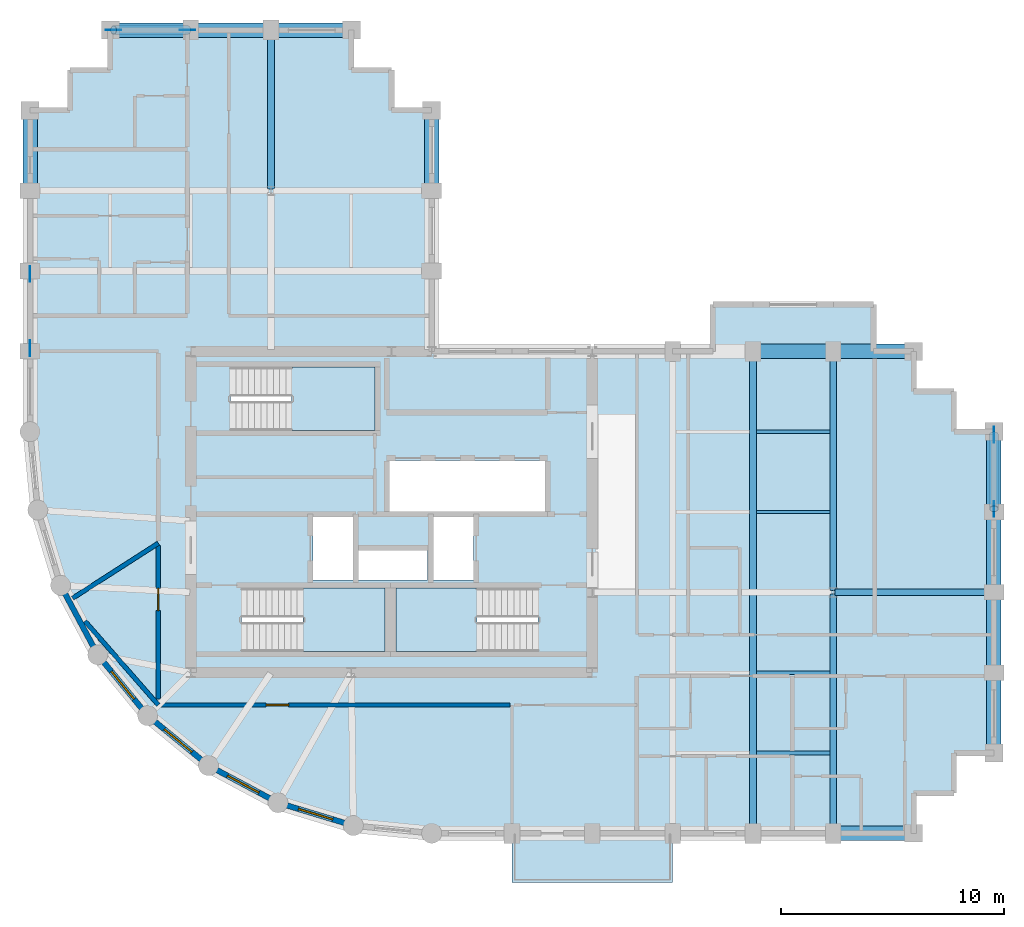
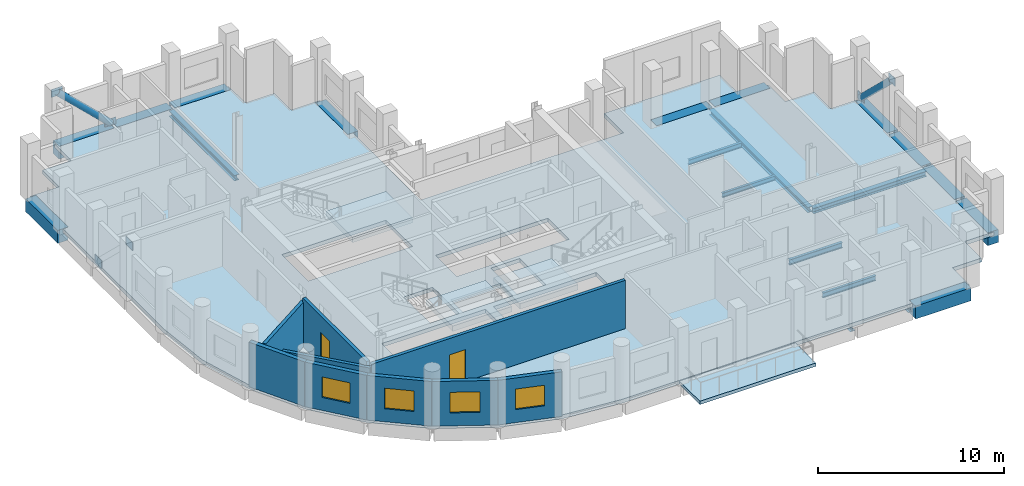
# One storey, part 2 of 8: 21 beams, 9 walls, 6 plates, 5 slabs, 4 windows, 2 doors, 2 members, 6 openings, 3 elements without a shape of their own.
"""IFC4 building model written with IfcOpenShell, lengths in metres."""

from ifc_helpers import new_model, si_unit, direction, frame, frame_2d, origin, origin_2d, place, context, subcontext, project, spatial, polyline, rectangle, hollow_circle, i_section, outline, extrude, material, layer, layer_set, material_profile, profile_set, type_object, element, fill, aggregate, save


model = new_model("IFC4")

# Units and contexts
model_context = context("Model", 3, precision=1e-05, world=origin(), true_north=direction((0.0, 1.0)))
body_context = subcontext(model_context, "Body", "Model", "MODEL_VIEW")
ifc_project = project(units=[si_unit("LENGTHUNIT", "METRE"), si_unit("AREAUNIT", "SQUARE_METRE"), si_unit("VOLUMEUNIT", "CUBIC_METRE"), si_unit("PLANEANGLEUNIT", "RADIAN"), si_unit("MASSUNIT", "GRAM", prefix="KILO")], contexts=[model_context])

# Site, building, storey
site_placement = place(None, origin())
site = spatial("IfcSite", under=ifc_project, at=site_placement, CompositionType="ELEMENT")
building_placement = place(site_placement, origin())
building = spatial("IfcBuilding", under=site, at=building_placement, Name="Solnavia Interchange Tower", CompositionType="ELEMENT")
storey_placement = place(building_placement, frame((0.0, 0.0, 178.60009765625)))
storey = spatial("IfcBuildingStorey", under=building, at=storey_placement, Name="L44", CompositionType="ELEMENT", Elevation=178.60009765625)

# Beams
ifc_material_1 = material(Name="Steel S460", Category="steel")
ifc_material_profile_1 = material_profile(ifc_material_1, i_section(OverallWidth=0.300048828125, OverallDepth=0.360107421875, WebThickness=0.012451171875, FlangeThickness=0.0224609375, FilletRadius=0.027099609375, at=origin_2d()), Name="HEB 360")
ifc_profile_set_1 = profile_set([ifc_material_profile_1], Name="Steel S460")
beam_type_1 = type_object("IfcBeamType", Name="Beam-Girder-HEB360", PredefinedType="BEAM", material=ifc_profile_set_1)
beam_1_placement = place(storey_placement, frame((43.280029296875, 14.39990234375, -0.43017578125), z_axis=(1.0, 0.0, 0.0), x_axis=(0.0, 1.0, 0.0)))
element("IfcBeam", 1, at=beam_1_placement, inside=storey, type_object=beam_type_1, Name="GRD-L44-ES02 East wing spine girder", PredefinedType="BEAM", context=body_context, shape_type="SweptSolid", body=[
    extrude(i_section(OverallWidth=0.300048828125, OverallDepth=0.360107421875, WebThickness=0.012451171875, FlangeThickness=0.0224609375, FilletRadius=0.027099609375, at=origin_2d()), origin(), (0.0, 0.0, 1.0), 7.0400390625),
])
beam_2_placement = place(storey_placement, frame((39.60009765625, 3.679931640625, -0.43017578125), z_axis=(0.0, 1.0, 0.0), x_axis=(-1.0, 0.0, 0.0)))
element("IfcBeam", 2, at=beam_2_placement, inside=storey, type_object=beam_type_1, Name="GRD-L44-EW04 East wing primary floor girder", PredefinedType="BEAM", context=body_context, shape_type="SweptSolid", body=[
    extrude(i_section(OverallWidth=0.300048828125, OverallDepth=0.360107421875, WebThickness=0.012451171875, FlangeThickness=0.0224609375, FilletRadius=0.027099609375, at=origin_2d()), origin(), (0.0, 0.0, 1.0), 21.440185546875),
])
beam_3_placement = place(storey_placement, frame((18.0, 32.47998046875, -0.43017578125), z_axis=(0.0, 1.0, 0.0), x_axis=(-1.0, 0.0, 0.0)))
element("IfcBeam", 3, at=beam_3_placement, inside=storey, type_object=beam_type_1, Name="GRD-L44-NS08 North wing spine girder", PredefinedType="BEAM", context=body_context, shape_type="SweptSolid", body=[
    extrude(i_section(OverallWidth=0.300048828125, OverallDepth=0.360107421875, WebThickness=0.012451171875, FlangeThickness=0.0224609375, FilletRadius=0.027099609375, at=origin_2d()), origin(), (0.0, 0.0, 1.0), 7.0400390625),
])
ifc_material_2 = material(Name="Steel S355", Category="steel")
ifc_material_profile_2 = material_profile(ifc_material_2, i_section(OverallWidth=0.14990234375, OverallDepth=0.300048828125, WebThickness=0.007080078125, FlangeThickness=0.0107421875, FilletRadius=0.014892578125, at=origin_2d()), Name="IPE 300")
ifc_profile_set_2 = profile_set([ifc_material_profile_2], Name="Steel S355")
beam_type_2 = type_object("IfcBeamType", Name="Beam-Joist-IPE300", PredefinedType="JOIST", material=ifc_profile_set_2)
beam_4_placement = place(storey_placement, frame((39.75, 18.0, -0.400146484375), z_axis=(1.0, 0.0, 0.0), x_axis=(0.0, 1.0, 0.0)))
element("IfcBeam", 4, at=beam_4_placement, inside=storey, type_object=beam_type_2, Name="JST-L44-E06 East wing secondary joist", PredefinedType="JOIST", context=body_context, shape_type="SweptSolid", body=[
    extrude(i_section(OverallWidth=0.14990234375, OverallDepth=0.300048828125, WebThickness=0.007080078125, FlangeThickness=0.0107421875, FilletRadius=0.014892578125, at=origin_2d()), origin(), (0.0, 0.0, 1.0), 3.300048828125),
])
ifc_material_profile_3 = material_profile(ifc_material_2, i_section(OverallWidth=0.159912109375, OverallDepth=0.330078125, WebThickness=0.007568359375, FlangeThickness=0.011474609375, FilletRadius=0.01806640625, at=origin_2d()), Name="IPE 330")
ifc_profile_set_3 = profile_set([ifc_material_profile_3], Name="Steel S355")
beam_type_3 = type_object("IfcBeamType", Name="Beam-Joist-IPE330", PredefinedType="JOIST", material=ifc_profile_set_3)
for number, where, z_axis, x_axis, name in (
    (5, (39.75, 7.199951171875, -0.4150390625), (1.0, 0.0, 0.0), (0.0, 1.0, 0.0), "JST-L44-E02 East wing secondary joist"),
    (6, (39.75, 21.60009765625, -0.4150390625), (1.0, 0.0, 0.0), (0.0, 1.0, 0.0), "JST-L44-E08 East wing secondary joist"),
):
    element("IfcBeam", number, at=place(storey_placement, frame(where, z_axis=z_axis, x_axis=x_axis)), inside=storey, type_object=beam_type_3, Name=name, PredefinedType="JOIST", context=body_context, shape_type="SweptSolid", body=[
        extrude(i_section(OverallWidth=0.159912109375, OverallDepth=0.330078125, WebThickness=0.007568359375, FlangeThickness=0.011474609375, FilletRadius=0.01806640625, at=origin_2d()), origin(), (0.0, 0.0, 1.0), 3.300048828125),
    ])
ifc_material_profile_4 = material_profile(ifc_material_2, i_section(OverallWidth=0.169921875, OverallDepth=0.360107421875, WebThickness=0.008056640625, FlangeThickness=0.0126953125, FilletRadius=0.01806640625, at=origin_2d()), Name="IPE 360")
ifc_profile_set_4 = profile_set([ifc_material_profile_4], Name="Steel S355")
beam_type_4 = type_object("IfcBeamType", Name="Beam-Joist-IPE360", PredefinedType="JOIST", material=ifc_profile_set_4)
beam_5_placement = place(storey_placement, frame((39.75, 10.800048828125, -0.43017578125), z_axis=(1.0, 0.0, 0.0), x_axis=(0.0, 1.0, 0.0)))
element("IfcBeam", 7, at=beam_5_placement, inside=storey, type_object=beam_type_4, Name="JST-L44-E04 East wing secondary joist", PredefinedType="JOIST", context=body_context, shape_type="SweptSolid", body=[
    extrude(i_section(OverallWidth=0.169921875, OverallDepth=0.360107421875, WebThickness=0.008056640625, FlangeThickness=0.0126953125, FilletRadius=0.01806640625, at=origin_2d()), origin(), (0.0, 0.0, 1.0), 3.300048828125),
])
ifc_material_profile_5 = material_profile(ifc_material_2, i_section(OverallWidth=0.300048828125, OverallDepth=0.35009765625, WebThickness=0.010009765625, FlangeThickness=0.017578125, FilletRadius=0.027099609375, at=origin_2d()), Name="HEA 360")
ifc_profile_set_5 = profile_set([ifc_material_profile_5], Name="Steel S355")
beam_type_5 = type_object("IfcBeamType", Name="Beam-Primary-HEA360", PredefinedType="BEAM", material=ifc_profile_set_5)
for number, where, z_axis, x_axis, name in (
    (8, (43.199951171875, 3.679931640625, -0.425048828125), (0.0, 1.0, 0.0), (-1.0, 0.0, 0.0), "GRD-L44-EW05 East wing primary floor girder"),
    (9, (43.199951171875, 14.47998046875, -0.425048828125), (0.0, 1.0, 0.0), (-1.0, 0.0, 0.0), "GRD-L44-EW06 East wing primary floor girder"),
):
    element("IfcBeam", number, at=place(storey_placement, frame(where, z_axis=z_axis, x_axis=x_axis)), inside=storey, type_object=beam_type_5, Name=name, PredefinedType="BEAM", context=body_context, shape_type="SweptSolid", body=[
        extrude(i_section(OverallWidth=0.300048828125, OverallDepth=0.35009765625, WebThickness=0.010009765625, FlangeThickness=0.017578125, FilletRadius=0.027099609375, at=origin_2d()), origin(), (0.0, 0.0, 1.0), 10.64013671875),
    ])
ifc_material_3 = material(Name="Concrete C50/60", Category="concrete")
ifc_material_profile_6 = material_profile(ifc_material_3, rectangle(XDim=0.64990234375, YDim=0.85009765625, at=origin_2d()), Name="RC 650x850")
ifc_profile_set_6 = profile_set([ifc_material_profile_6], Name="Concrete C50/60")
beam_type_6 = type_object("IfcBeamType", Name="Beam-Spandrel-RC650x850", PredefinedType="SPANDREL", material=ifc_profile_set_6)
for number, where, z_axis, x_axis, name in (
    (10, (43.280029296875, 3.60009765625, -0.425048828125), (1.0, 0.0, 0.0), (0.0, 1.0, 0.0), "SPB-L44-14 Framed-tube perimeter spandrel beam"),
    (11, (50.39990234375, 7.280029296875, -0.425048828125), (0.0, 1.0, 0.0), (-1.0, 0.0, 0.0), "SPB-L44-15 Framed-tube perimeter spandrel beam"),
):
    element("IfcBeam", number, at=place(storey_placement, frame(where, z_axis=z_axis, x_axis=x_axis)), inside=storey, type_object=beam_type_6, Name=name, PredefinedType="SPANDREL", context=body_context, shape_type="SweptSolid", body=[
        extrude(rectangle(XDim=0.64990234375, YDim=0.85009765625, at=origin_2d()), origin(), (0.0, 0.0, 1.0), 3.43994140625),
    ])
beam_6_placement = place(storey_placement, frame((50.39990234375, 10.8798828125, -0.425048828125), z_axis=(0.0, 1.0, 0.0), x_axis=(-1.0, 0.0, 0.0)))
element("IfcBeam", 12, at=beam_6_placement, inside=storey, type_object=beam_type_6, Name="SPB-L44-16 Framed-tube perimeter spandrel beam", PredefinedType="SPANDREL", context=body_context, shape_type="SweptSolid", body=[
    extrude(rectangle(XDim=0.64990234375, YDim=0.85009765625, at=origin_2d()), origin(), (0.0, 0.0, 1.0), 3.440185546875),
])
for number, where, z_axis, x_axis, name in (
    (13, (50.39990234375, 14.47998046875, -0.425048828125), (0.0, 1.0, 0.0), (-1.0, 0.0, 0.0), "SPB-L44-17 Framed-tube perimeter spandrel beam"),
    (14, (50.39990234375, 18.080078125, -0.425048828125), (0.0, 1.0, 0.0), (-1.0, 0.0, 0.0), "SPB-L44-18 Framed-tube perimeter spandrel beam"),
    (15, (46.719970703125, 25.199951171875, -0.425048828125), (-1.0, 0.0, 0.0), (0.0, -1.0, 0.0), "SPB-L44-19 Framed-tube perimeter spandrel beam"),
):
    element("IfcBeam", number, at=place(storey_placement, frame(where, z_axis=z_axis, x_axis=x_axis)), inside=storey, type_object=beam_type_6, Name=name, PredefinedType="SPANDREL", context=body_context, shape_type="SweptSolid", body=[
        extrude(rectangle(XDim=0.64990234375, YDim=0.85009765625, at=origin_2d()), origin(), (0.0, 0.0, 1.0), 3.43994140625),
    ])
beam_7_placement = place(storey_placement, frame((43.1201171875, 25.199951171875, -0.425048828125), z_axis=(-1.0, 0.0, 0.0), x_axis=(0.0, -1.0, 0.0)))
element("IfcBeam", 16, at=beam_7_placement, inside=storey, type_object=beam_type_6, Name="SPB-L44-20 Framed-tube perimeter spandrel beam", PredefinedType="SPANDREL", context=body_context, shape_type="SweptSolid", body=[
    extrude(rectangle(XDim=0.64990234375, YDim=0.85009765625, at=origin_2d()), origin(), (0.0, 0.0, 1.0), 3.440185546875),
])
for number, where, z_axis, x_axis, name in (
    (17, (25.199951171875, 32.47998046875, -0.425048828125), (0.0, 1.0, 0.0), (-1.0, 0.0, 0.0), "SPB-L44-26 Framed-tube perimeter spandrel beam"),
    (18, (21.52001953125, 39.60009765625, -0.425048828125), (-1.0, 0.0, 0.0), (0.0, -1.0, 0.0), "SPB-L44-27 Framed-tube perimeter spandrel beam"),
    (19, (17.919921875, 39.60009765625, -0.425048828125), (-1.0, 0.0, 0.0), (0.0, -1.0, 0.0), "SPB-L44-28 Framed-tube perimeter spandrel beam"),
):
    element("IfcBeam", number, at=place(storey_placement, frame(where, z_axis=z_axis, x_axis=x_axis)), inside=storey, type_object=beam_type_6, Name=name, PredefinedType="SPANDREL", context=body_context, shape_type="SweptSolid", body=[
        extrude(rectangle(XDim=0.64990234375, YDim=0.85009765625, at=origin_2d()), origin(), (0.0, 0.0, 1.0), 3.43994140625),
    ])
beam_8_placement = place(storey_placement, frame((14.320068359375, 39.60009765625, -0.425048828125), z_axis=(-1.0, 0.0, 0.0), x_axis=(0.0, -1.0, 0.0)))
element("IfcBeam", 20, at=beam_8_placement, inside=storey, type_object=beam_type_6, Name="SPB-L44-29 Framed-tube perimeter spandrel beam", PredefinedType="SPANDREL", context=body_context, shape_type="SweptSolid", body=[
    extrude(rectangle(XDim=0.64990234375, YDim=0.85009765625, at=origin_2d()), origin(), (0.0, 0.0, 1.0), 3.440185546875),
])
beam_9_placement = place(storey_placement, frame((7.199951171875, 35.919921875, -0.425048828125), z_axis=(0.0, -1.0, 0.0), x_axis=(1.0, 0.0, 0.0)))
element("IfcBeam", 21, at=beam_9_placement, inside=storey, type_object=beam_type_6, Name="SPB-L44-30 Framed-tube perimeter spandrel beam", PredefinedType="SPANDREL", context=body_context, shape_type="SweptSolid", body=[
    extrude(rectangle(XDim=0.64990234375, YDim=0.85009765625, at=origin_2d()), origin(), (0.0, 0.0, 1.0), 3.43994140625),
])

# Members
ifc_material_profile_7 = material_profile(ifc_material_1, hollow_circle(Radius=0.203125, WallThickness=0.02001953125, at=origin_2d()), Name="CHS 406.4x20")
ifc_profile_set_7 = profile_set([ifc_material_profile_7], Name="Steel S460")
member_type = type_object("IfcMemberType", Name="Brace-Perim-CHS406", PredefinedType="BRACE", material=ifc_profile_set_7)
for number, where, z_axis, x_axis, name in (
    (22, (50.39990234375, 21.4599609375, 0.179931640625), (0.0, -0.721096918576, 0.692834203847), (1.0, 0.0, 0.0), "BRC-L44-02 Perimeter tube diagonal brace"),
    (23, (14.260009765625, 39.60009765625, 0.179931640625), (-0.721096918576, 0.0, 0.692834203847), (0.0, -1.0, 0.0), "BRC-L44-03 Perimeter tube diagonal brace"),
):
    element("IfcMember", number, at=place(storey_placement, frame(where, z_axis=z_axis, x_axis=x_axis)), inside=storey, type_object=member_type, Name=name, PredefinedType="BRACE", context=body_context, shape_type="SweptSolid", body=[
        extrude(hollow_circle(Radius=0.203125, WallThickness=0.02001953125, at=origin_2d()), origin(), (0.0, 0.0, 1.0), 4.604248046875),
    ])

# Plates
ifc_layer_1 = layer(ifc_material_1, 0.030029296875)
ifc_layer_set_1 = layer_set([ifc_layer_1], Name="Steel S460")
plate_type = type_object("IfcPlateType", Name="Plate-Gusset-700x520x30", PredefinedType="USERDEFINED", material=ifc_layer_set_1)
for number, where, z_axis, x_axis, name in (
    (24, (7.199951171875, 28.659912109375, -0.080078125), (0.0, 0.0, 1.0), (0.0, -1.0, 0.0), "PLT-L44-GP01 Perimeter brace gusset plate"),
    (25, (7.199951171875, 25.340087890625, 3.10986328125), (0.0, 0.0, 1.0), (0.0, -1.0, 0.0), "PLT-L44-GP02 Perimeter brace gusset plate"),
    (26, (50.39990234375, 21.4599609375, -0.080078125), (0.0, 0.0, 1.0), (0.0, -1.0, 0.0), "PLT-L44-GP03 Perimeter brace gusset plate"),
    (27, (50.39990234375, 18.139892578125, 3.10986328125), (0.0, 0.0, 1.0), (0.0, -1.0, 0.0), "PLT-L44-GP04 Perimeter brace gusset plate"),
    (28, (14.260009765625, 39.60009765625, -0.080078125), (0.0, 0.0, 1.0), (-1.0, 0.0, 0.0), "PLT-L44-GP05 Perimeter brace gusset plate"),
    (29, (10.93994140625, 39.60009765625, 3.10986328125), (0.0, 0.0, 1.0), (-1.0, 0.0, 0.0), "PLT-L44-GP06 Perimeter brace gusset plate"),
):
    element("IfcPlate", number, at=place(storey_placement, frame(where, z_axis=z_axis, x_axis=x_axis)), inside=storey, type_object=plate_type, Name=name, ObjectType="GUSSET PLATE", PredefinedType="USERDEFINED", context=body_context, shape_type="SweptSolid", body=[
        extrude(rectangle(XDim=0.699951171875, YDim=0.030029296875, at=origin_2d()), origin(), (0.0, 0.0, 1.0), 0.52001953125),
    ])

# Stair, slab
ifc_material_4 = material(Name="Concrete C40/50", Category="concrete")
stair_type = type_object("IfcStairType", Name="Stair-Dogleg-RC", PredefinedType="HALF_TURN_STAIR", material=ifc_material_4)
stair_1_placement = place(storey_placement, origin())
stair_1 = element("IfcStair", 30, at=stair_1_placement, inside=storey, type_object=stair_type, Name="L44 Core exit stair 1", PredefinedType="HALF_TURN_STAIR")
ifc_layer_2 = layer(ifc_material_4, 0.35009765625)
ifc_layer_set_2 = layer_set([ifc_layer_2], Name="Concrete C40/50")
slab_type_1 = type_object("IfcSlabType", Name="Slab-StairLanding-350", PredefinedType="LANDING", material=ifc_layer_set_2)
slab_1_placement = place(storey_placement, frame((0.0, 0.0, 1.5498046875)))
slab_1 = element("IfcSlab", 31, at=slab_1_placement, type_object=slab_type_1, Name="ST-1 landing 1", PredefinedType="LANDING", context=body_context, shape_type="SweptSolid", body=[
    extrude(outline(polyline([(19.427978515625, 11.75), (23.10009765625, 11.75), (23.10009765625, 14.590087890625), (19.427978515625, 14.590087890625), (19.427978515625, 11.75)])), origin(), (0.0, 0.0, 1.0), 0.35009765625),
])
aggregate(stair_1, [slab_1])

stair_2_placement = place(storey_placement, origin())
stair_2 = element("IfcStair", 32, at=stair_2_placement, inside=storey, type_object=stair_type, Name="L44 Core exit stair 2", PredefinedType="HALF_TURN_STAIR")
slab_2_placement = place(storey_placement, frame((0.0, 0.0, 1.5498046875)))
slab_2 = element("IfcSlab", 33, at=slab_2_placement, type_object=slab_type_1, Name="ST-2 landing 1", PredefinedType="LANDING", context=body_context, shape_type="SweptSolid", body=[
    extrude(outline(polyline([(23.60009765625, 11.75), (27.221923828125, 11.75), (27.221923828125, 14.590087890625), (23.60009765625, 14.590087890625), (23.60009765625, 11.75)])), origin(), (0.0, 0.0, 1.0), 0.35009765625),
])
aggregate(stair_2, [slab_2])

stair_3_placement = place(storey_placement, origin())
stair_3 = element("IfcStair", 34, at=stair_3_placement, inside=storey, type_object=stair_type, Name="L44 Core exit stair 3", PredefinedType="HALF_TURN_STAIR")
slab_3_placement = place(storey_placement, frame((0.0, 0.0, 1.5498046875)))
slab_3 = element("IfcSlab", 35, at=slab_3_placement, type_object=slab_type_1, Name="ST-3 landing 1", PredefinedType="LANDING", context=body_context, shape_type="SweptSolid", body=[
    extrude(outline(polyline([(18.927978515625, 21.64990234375), (22.64990234375, 21.64990234375), (22.64990234375, 24.489990234375), (18.927978515625, 24.489990234375), (18.927978515625, 21.64990234375)])), origin(), (0.0, 0.0, 1.0), 0.35009765625),
])
aggregate(stair_3, [slab_3])

# Slabs
ifc_layer_3 = layer(ifc_material_4, 0.219970703125)
ifc_layer_set_3 = layer_set([ifc_layer_3], Name="Concrete C40/50")
slab_type_2 = type_object("IfcSlabType", Name="Slab-Terrace-220", PredefinedType="FLOOR", material=ifc_layer_set_3)
slab_4_placement = place(storey_placement, frame((0.0, 0.0, -0.260009765625)))
element("IfcSlab", 36, at=slab_4_placement, inside=storey, type_object=slab_type_2, Name="TER-L44-01 Outdoor spiral terrace slab", PredefinedType="FLOOR", context=body_context, shape_type="SweptSolid", body=[
    extrude(outline(polyline([(28.800048828125, 1.39990234375), (36.0, 1.39990234375), (36.0, 3.60009765625), (28.800048828125, 3.60009765625), (28.800048828125, 1.39990234375)])), origin(), (0.0, 0.0, 1.0), 0.219970703125),
])
ifc_layer_4 = layer(ifc_material_4, 0.25)
ifc_layer_set_4 = layer_set([ifc_layer_4], Name="Concrete C40/50")
slab_type_3 = type_object("IfcSlabType", Name="Slab-Tower-250", PredefinedType="FLOOR", material=ifc_layer_set_4)
slab_5_placement = place(storey_placement, frame((0.0, 0.0, -0.25)))
element("IfcSlab", 37, at=slab_5_placement, inside=storey, type_object=slab_type_3, Name="SLB-L44-01 Structural floor slab", PredefinedType="FLOOR", context=body_context, shape_type="SweptSolid", body=[
    extrude(outline(polyline([(25.199951171875, 3.60009765625), (46.800048828125, 3.60009765625), (46.800048828125, 5.39990234375), (48.60009765625, 5.39990234375), (48.60009765625, 7.199951171875), (50.39990234375, 7.199951171875), (50.39990234375, 21.60009765625), (48.60009765625, 21.60009765625), (48.60009765625, 23.39990234375), (46.800048828125, 23.39990234375), (46.800048828125, 25.199951171875), (45.0, 25.199951171875), (45.0, 27.300048828125), (37.800048828125, 27.300048828125), (37.800048828125, 25.199951171875), (25.199951171875, 25.199951171875), (25.199951171875, 36.0), (23.39990234375, 36.0), (23.39990234375, 37.800048828125), (21.60009765625, 37.800048828125), (21.60009765625, 39.60009765625), (10.800048828125, 39.60009765625), (10.800048828125, 37.800048828125), (9.0, 37.800048828125), (9.0, 36.0), (7.199951171875, 36.0), (7.199951171875, 21.60009765625), (7.5458984375, 18.087890625), (8.570068359375, 14.7119140625), (10.23388671875, 11.60009765625), (12.471923828125, 8.8720703125), (15.199951171875, 6.634033203125), (18.31201171875, 4.969970703125), (21.68798828125, 3.946044921875), (25.199951171875, 3.60009765625)]), holes=[polyline([(16.675048828125, 11.75), (23.10009765625, 11.75), (23.10009765625, 14.590087890625), (16.675048828125, 14.590087890625), (16.675048828125, 11.75)]), polyline([(23.60009765625, 11.75), (29.97509765625, 11.75), (29.97509765625, 14.590087890625), (23.60009765625, 14.590087890625), (23.60009765625, 11.75)]), polyline([(16.175048828125, 21.64990234375), (22.64990234375, 21.64990234375), (22.64990234375, 24.489990234375), (16.175048828125, 24.489990234375), (16.175048828125, 21.64990234375)]), polyline([(19.8798828125, 14.9599609375), (21.679931640625, 14.9599609375), (21.679931640625, 17.780029296875), (19.8798828125, 17.780029296875), (19.8798828125, 14.9599609375)]), polyline([(25.280029296875, 14.9599609375), (27.080078125, 14.9599609375), (27.080078125, 17.780029296875), (25.280029296875, 17.780029296875), (25.280029296875, 14.9599609375)]), polyline([(21.919921875, 14.9599609375), (25.02001953125, 14.9599609375), (25.02001953125, 16.280029296875), (21.919921875, 16.280029296875), (21.919921875, 14.9599609375)]), polyline([(23.300048828125, 18.02001953125), (30.280029296875, 18.02001953125), (30.280029296875, 20.300048828125), (23.300048828125, 20.300048828125), (23.300048828125, 18.02001953125)])]), origin(), (0.0, 0.0, 1.0), 0.25),
])

# Walls
ifc_material_5 = material(Name="Gypsum Acoustic Twin-Stud & Mineral Wool", Category="gypsum")
ifc_layer_5 = layer(ifc_material_5, 0.199951171875)
ifc_layer_set_5 = layer_set([ifc_layer_5], Name="Gypsum Acoustic Twin-Stud & Mineral Wool")
wall_type_1 = type_object("IfcWallType", Name="Wall-ApartmentParty-200", PredefinedType="PARTITIONING", material=ifc_layer_set_5)
wall_1_placement = place(storey_placement, frame((12.949951171875, 9.35009765625, 0.0), z_axis=(0.0, 0.0, 1.0), x_axis=(-0.658639514157, 0.752458630352, 0.0)))
element("IfcWall", 38, at=wall_1_placement, inside=storey, type_object=wall_type_1, Name="PTW-L44-09 Interior partition wall", PredefinedType="PARTITIONING", context=body_context, shape_type="SweptSolid", body=[
    extrude(rectangle(XDim=4.996337890625, YDim=0.199951171875, at=frame_2d((2.498046875, 0.0))), origin(), (0.0, 0.0, 1.0), 2.929931640625),
])
wall_2_placement = place(storey_placement, frame((12.949951171875, 16.60009765625, 0.0), z_axis=(0.0, 0.0, 1.0), x_axis=(-0.841685822078, -0.539967570242, 0.0)))
element("IfcWall", 39, at=wall_2_placement, inside=storey, type_object=wall_type_1, Name="PTW-L44-10 Interior partition wall", PredefinedType="PARTITIONING", context=body_context, shape_type="SweptSolid", body=[
    extrude(rectangle(XDim=4.56201171875, YDim=0.199951171875, at=frame_2d((2.281005859375, 0.0))), origin(), (0.0, 0.0, 1.0), 2.929931640625),
])

# Wall, opening, door
wall_3_placement = place(storey_placement, frame((12.949951171875, 9.623291015625, 0.0), z_axis=(0.0, 0.0, 1.0), x_axis=(0.0, 1.0, 0.0)))
wall_3 = element("IfcWall", 40, at=wall_3_placement, inside=storey, type_object=wall_type_1, Name="PTW-L44-12 Interior partition wall", PredefinedType="PARTITIONING", context=body_context, shape_type="SweptSolid", body=[
    extrude(rectangle(XDim=6.872802734375, YDim=0.199951171875, at=frame_2d((3.4365234375, 0.0))), origin(), (0.0, 0.0, 1.0), 3.169921875),
])
opening_1_placement = place(wall_3_placement, frame((3.9580078125, 0.0, 0.0)))
opening_1 = element("IfcOpeningElement", 41, at=opening_1_placement, cuts=wall_3, Name="Opening DR-07", PredefinedType="OPENING", context=body_context, shape_type="SweptSolid", body=[
    extrude(rectangle(XDim=1.0, YDim=2.10009765625, at=frame_2d((0.5, 1.050048828125))), frame((0.0, 0.10986328125, 0.0), z_axis=(0.0, -1.0, 0.0), x_axis=(1.0, 0.0, 0.0)), (0.0, 0.0, 1.0), 0.219970703125),
])
ifc_material_6 = material(Name="Timber & Acoustic Glazed Office Door", Category="wood")
door_type = type_object("IfcDoorType", Name="Door-Office-1000x2100", OperationType="SINGLE_SWING_RIGHT", PredefinedType="DOOR", material=ifc_material_6)
door_1_placement = place(opening_1_placement, origin())
door_1 = element("IfcDoor", 42, at=door_1_placement, inside=storey, type_object=door_type, Name="DR-L44-04 Interior room door", OperationType="SINGLE_SWING_RIGHT", OverallHeight=2.10009765625, OverallWidth=1.0, PredefinedType="DOOR", context=body_context, shape_type="SweptSolid", body=[
    extrude(rectangle(XDim=1.0, YDim=2.10009765625, at=frame_2d((0.5, 1.050048828125))), frame((0.0, 0.02490234375, 0.0), z_axis=(0.0, -1.0, 0.0), x_axis=(1.0, 0.0, 0.0)), (0.0, 0.0, 1.0), 0.050048828125),
])
fill(opening_1, door_1)

wall_4_placement = place(storey_placement, frame((12.949951171875, 9.35009765625, 0.0), z_axis=(0.0, 0.0, 1.0), x_axis=(1.0, 0.0, 0.0)))
wall_4 = element("IfcWall", 43, at=wall_4_placement, inside=storey, type_object=wall_type_1, Name="PTW-L44-13 Interior partition wall", PredefinedType="PARTITIONING", context=body_context, shape_type="SweptSolid", body=[
    extrude(rectangle(XDim=15.77099609375, YDim=0.199951171875, at=frame_2d((7.885498046875, 0.0))), origin(), (0.0, 0.0, 1.0), 3.169921875),
])
opening_2_placement = place(wall_4_placement, frame((4.8359375, 0.0, 0.0)))
opening_2 = element("IfcOpeningElement", 44, at=opening_2_placement, cuts=wall_4, Name="Opening DR-07", PredefinedType="OPENING", context=body_context, shape_type="SweptSolid", body=[
    extrude(rectangle(XDim=1.0, YDim=2.10009765625, at=frame_2d((0.5, 1.050048828125))), frame((0.0, 0.10986328125, 0.0), z_axis=(0.0, -1.0, 0.0), x_axis=(1.0, 0.0, 0.0)), (0.0, 0.0, 1.0), 0.219970703125),
])
door_2_placement = place(opening_2_placement, origin())
door_2 = element("IfcDoor", 45, at=door_2_placement, inside=storey, type_object=door_type, Name="DR-L44-05 Interior room door", OperationType="SINGLE_SWING_LEFT", OverallHeight=2.10009765625, OverallWidth=1.0, PredefinedType="DOOR", context=body_context, shape_type="SweptSolid", body=[
    extrude(rectangle(XDim=1.0, YDim=2.10009765625, at=frame_2d((0.5, 1.050048828125))), frame((0.0, 0.02490234375, 0.0), z_axis=(0.0, -1.0, 0.0), x_axis=(1.0, 0.0, 0.0)), (0.0, 0.0, 1.0), 0.050048828125),
])
fill(opening_2, door_2)

# Wall
ifc_layer_6 = layer(ifc_material_4, 0.25)
ifc_layer_set_6 = layer_set([ifc_layer_6], Name="Concrete C40/50")
wall_type_2 = type_object("IfcWallType", Name="Wall-ExtSpandrel-250", PredefinedType="STANDARD", material=ifc_layer_set_6)
wall_5_placement = place(storey_placement, frame((10.23388671875, 11.60009765625, 0.0), z_axis=(0.0, 0.0, 1.0), x_axis=(-0.47151087309, 0.881860247748, 0.0)))
element("IfcWall", 46, at=wall_5_placement, inside=storey, type_object=wall_type_2, Name="EXW-L44-49 Exterior precast spandrel wall", PredefinedType="STANDARD", context=body_context, shape_type="SweptSolid", body=[
    extrude(rectangle(XDim=3.52880859375, YDim=0.25, at=frame_2d((1.764404296875, 0.0))), origin(), (0.0, 0.0, 1.0), 2.929931640625),
])

# Wall, opening, window
wall_6_placement = place(storey_placement, frame((12.471923828125, 8.8720703125, 0.0), z_axis=(0.0, 0.0, 1.0), x_axis=(-0.634258295121, 0.773121216285, 0.0)))
wall_6 = element("IfcWall", 47, at=wall_6_placement, inside=storey, type_object=wall_type_2, Name="EXW-L44-50 Exterior precast spandrel wall", PredefinedType="STANDARD", context=body_context, shape_type="SweptSolid", body=[
    extrude(rectangle(XDim=3.528564453125, YDim=0.25, at=frame_2d((1.76416015625, 0.0))), origin(), (0.0, 0.0, 1.0), 2.929931640625),
])
opening_3_placement = place(wall_6_placement, frame((0.964111328125, 0.0, 0.85009765625)))
opening_3 = element("IfcOpeningElement", 48, at=opening_3_placement, cuts=wall_6, Name="Opening WIN-04", PredefinedType="OPENING", context=body_context, shape_type="SweptSolid", body=[
    extrude(rectangle(XDim=1.60009765625, YDim=1.35009765625, at=frame_2d((0.800048828125, 0.675048828125))), frame((0.0, 0.135009765625, 0.0), z_axis=(0.0, -1.0, 0.0), x_axis=(1.0, 0.0, 0.0)), (0.0, 0.0, 1.0), 0.27001953125),
])
ifc_material_7 = material(Name="Thermal-Break Aluminium & Low-E Glass", Category="aluminium")
window_type = type_object("IfcWindowType", Name="Window-Drum-1600x1350", PartitioningType="SINGLE_PANEL", PredefinedType="WINDOW", material=ifc_material_7)
window_1_placement = place(opening_3_placement, origin())
window_1 = element("IfcWindow", 49, at=window_1_placement, inside=storey, type_object=window_type, Name="WIN-L44-50 Facade ribbon window", OverallHeight=1.35009765625, OverallWidth=1.60009765625, PartitioningType="SINGLE_PANEL", PredefinedType="WINDOW", context=body_context, shape_type="SweptSolid", body=[
    extrude(rectangle(XDim=1.60009765625, YDim=1.35009765625, at=frame_2d((0.800048828125, 0.675048828125))), frame((0.0, 0.030029296875, 0.0), z_axis=(0.0, -1.0, 0.0), x_axis=(1.0, 0.0, 0.0)), (0.0, 0.0, 1.0), 0.06005859375),
])
fill(opening_3, window_1)

wall_7_placement = place(storey_placement, frame((15.199951171875, 6.634033203125, 0.0), z_axis=(0.0, 0.0, 1.0), x_axis=(-0.773121216285, 0.634258295121, 0.0)))
wall_7 = element("IfcWall", 50, at=wall_7_placement, inside=storey, type_object=wall_type_2, Name="EXW-L44-51 Exterior precast spandrel wall", PredefinedType="STANDARD", context=body_context, shape_type="SweptSolid", body=[
    extrude(rectangle(XDim=3.528564453125, YDim=0.25, at=frame_2d((1.76416015625, 0.0))), origin(), (0.0, 0.0, 1.0), 2.929931640625),
])
opening_4_placement = place(wall_7_placement, frame((0.964111328125, 0.0, 0.85009765625)))
opening_4 = element("IfcOpeningElement", 51, at=opening_4_placement, cuts=wall_7, Name="Opening WIN-04", PredefinedType="OPENING", context=body_context, shape_type="SweptSolid", body=[
    extrude(rectangle(XDim=1.60009765625, YDim=1.35009765625, at=frame_2d((0.800048828125, 0.675048828125))), frame((0.0, 0.135009765625, 0.0), z_axis=(0.0, -1.0, 0.0), x_axis=(1.0, 0.0, 0.0)), (0.0, 0.0, 1.0), 0.27001953125),
])
window_2_placement = place(opening_4_placement, origin())
window_2 = element("IfcWindow", 52, at=window_2_placement, inside=storey, type_object=window_type, Name="WIN-L44-51 Facade ribbon window", OverallHeight=1.35009765625, OverallWidth=1.60009765625, PartitioningType="SINGLE_PANEL", PredefinedType="WINDOW", context=body_context, shape_type="SweptSolid", body=[
    extrude(rectangle(XDim=1.60009765625, YDim=1.35009765625, at=frame_2d((0.800048828125, 0.675048828125))), frame((0.0, 0.030029296875, 0.0), z_axis=(0.0, -1.0, 0.0), x_axis=(1.0, 0.0, 0.0)), (0.0, 0.0, 1.0), 0.06005859375),
])
fill(opening_4, window_2)

wall_8_placement = place(storey_placement, frame((18.31201171875, 4.969970703125, 0.0), z_axis=(0.0, 0.0, 1.0), x_axis=(-0.881846862014, 0.471535907389, 0.0)))
wall_8 = element("IfcWall", 53, at=wall_8_placement, inside=storey, type_object=wall_type_2, Name="EXW-L44-52 Exterior precast spandrel wall", PredefinedType="STANDARD", context=body_context, shape_type="SweptSolid", body=[
    extrude(rectangle(XDim=3.529052734375, YDim=0.25, at=frame_2d((1.7646484375, 0.0))), origin(), (0.0, 0.0, 1.0), 2.929931640625),
])
opening_5_placement = place(wall_8_placement, frame((0.964111328125, 0.0, 0.85009765625)))
opening_5 = element("IfcOpeningElement", 54, at=opening_5_placement, cuts=wall_8, Name="Opening WIN-04", PredefinedType="OPENING", context=body_context, shape_type="SweptSolid", body=[
    extrude(rectangle(XDim=1.60009765625, YDim=1.35009765625, at=frame_2d((0.800048828125, 0.675048828125))), frame((0.0, 0.135009765625, 0.0), z_axis=(0.0, -1.0, 0.0), x_axis=(1.0, 0.0, 0.0)), (0.0, 0.0, 1.0), 0.27001953125),
])
window_3_placement = place(opening_5_placement, origin())
window_3 = element("IfcWindow", 55, at=window_3_placement, inside=storey, type_object=window_type, Name="WIN-L44-52 Facade ribbon window", OverallHeight=1.35009765625, OverallWidth=1.60009765625, PartitioningType="SINGLE_PANEL", PredefinedType="WINDOW", context=body_context, shape_type="SweptSolid", body=[
    extrude(rectangle(XDim=1.60009765625, YDim=1.35009765625, at=frame_2d((0.800048828125, 0.675048828125))), frame((0.0, 0.030029296875, 0.0), z_axis=(0.0, -1.0, 0.0), x_axis=(1.0, 0.0, 0.0)), (0.0, 0.0, 1.0), 0.06005859375),
])
fill(opening_5, window_3)

wall_9_placement = place(storey_placement, frame((21.68798828125, 3.946044921875, 0.0), z_axis=(0.0, 0.0, 1.0), x_axis=(-0.956953367403, 0.290241714123, 0.0)))
wall_9 = element("IfcWall", 56, at=wall_9_placement, inside=storey, type_object=wall_type_2, Name="EXW-L44-53 Exterior precast spandrel wall", PredefinedType="STANDARD", context=body_context, shape_type="SweptSolid", body=[
    extrude(rectangle(XDim=3.52783203125, YDim=0.25, at=frame_2d((1.763916015625, 0.0))), origin(), (0.0, 0.0, 1.0), 2.929931640625),
])
opening_6_placement = place(wall_9_placement, frame((0.964111328125, 0.0, 0.85009765625)))
opening_6 = element("IfcOpeningElement", 57, at=opening_6_placement, cuts=wall_9, Name="Opening WIN-04", PredefinedType="OPENING", context=body_context, shape_type="SweptSolid", body=[
    extrude(rectangle(XDim=1.60009765625, YDim=1.35009765625, at=frame_2d((0.800048828125, 0.675048828125))), frame((0.0, 0.135009765625, 0.0), z_axis=(0.0, -1.0, 0.0), x_axis=(1.0, 0.0, 0.0)), (0.0, 0.0, 1.0), 0.27001953125),
])
window_4_placement = place(opening_6_placement, origin())
window_4 = element("IfcWindow", 58, at=window_4_placement, inside=storey, type_object=window_type, Name="WIN-L44-53 Facade ribbon window", OverallHeight=1.35009765625, OverallWidth=1.60009765625, PartitioningType="SINGLE_PANEL", PredefinedType="WINDOW", context=body_context, shape_type="SweptSolid", body=[
    extrude(rectangle(XDim=1.60009765625, YDim=1.35009765625, at=frame_2d((0.800048828125, 0.675048828125))), frame((0.0, 0.030029296875, 0.0), z_axis=(0.0, -1.0, 0.0), x_axis=(1.0, 0.0, 0.0)), (0.0, 0.0, 1.0), 0.06005859375),
])
fill(opening_6, window_4)

save(model, "model.ifc")
